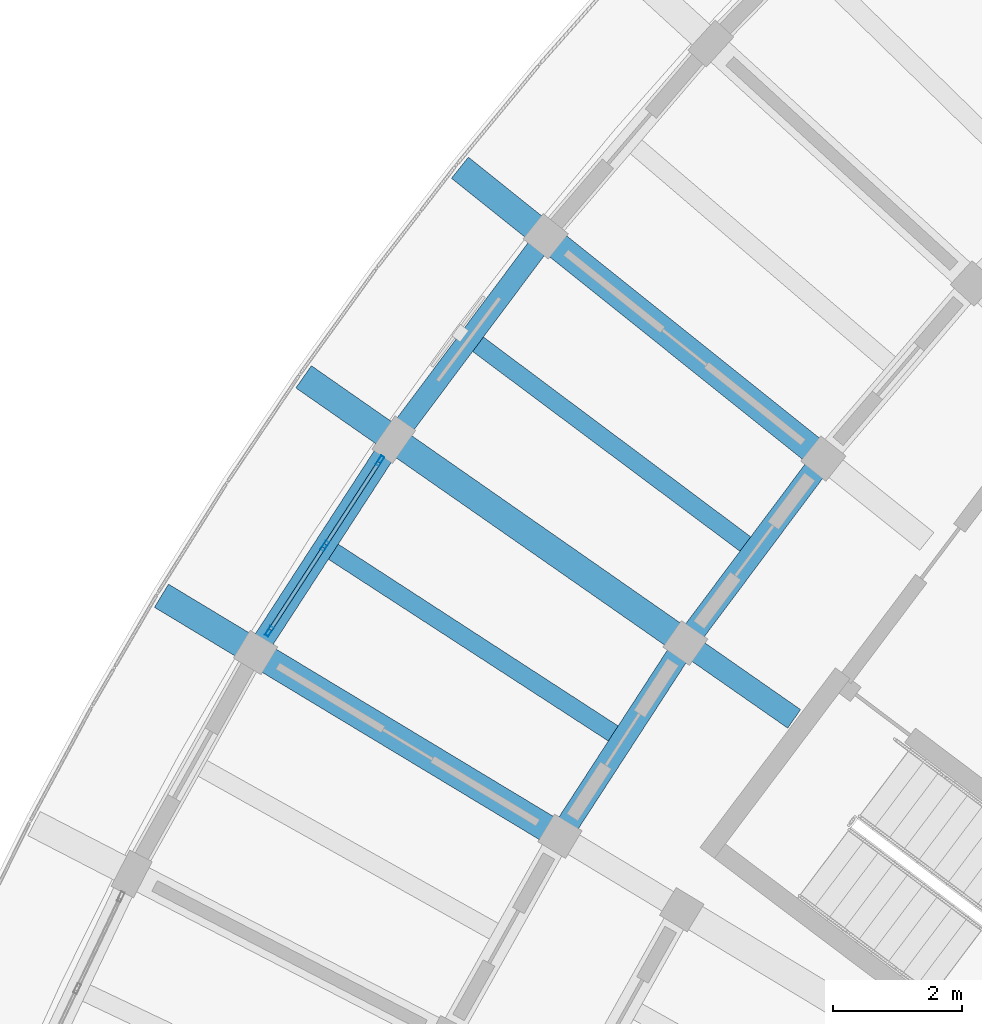
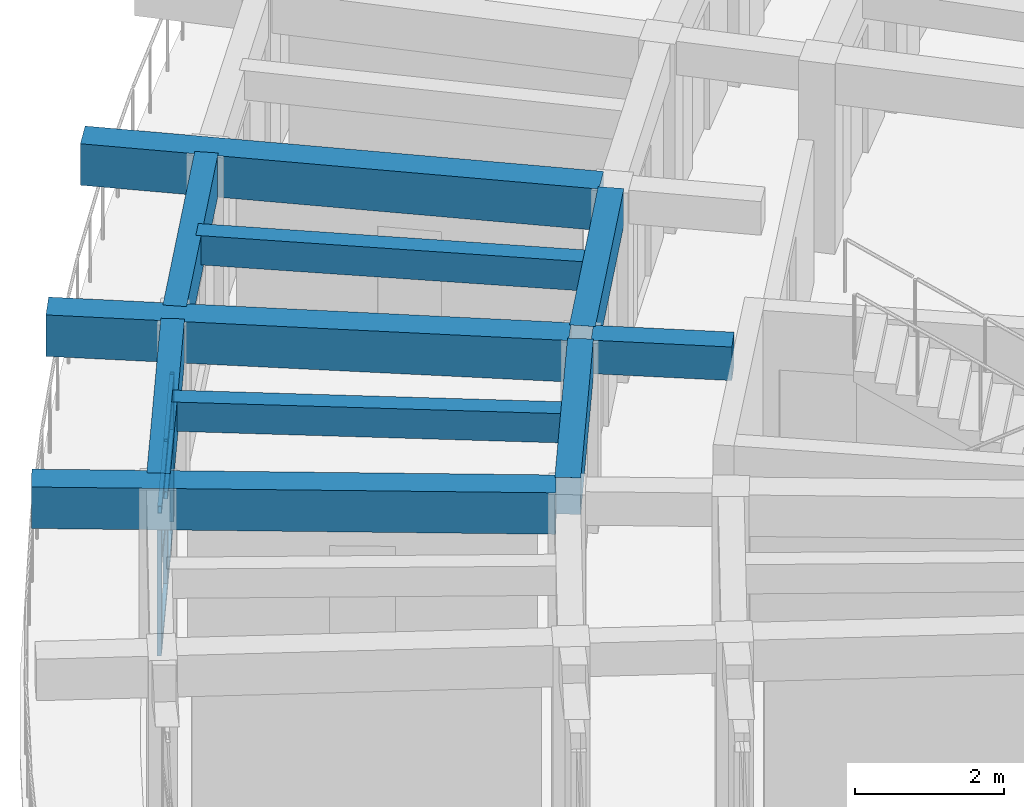
# One storey, part 13 of 62: 10 beams, 9 members, 1 element without a shape of its own.
"""IFC4 building model written with IfcOpenShell, lengths in metres."""

from ifc_helpers import new_model, si_unit, direction, frame, origin, origin_2d, place, context, subcontext, project, spatial, rectangle, hollow_rectangle, extrude, material, material_profile, profile_set, type_object, element, aggregate, save


model = new_model("IFC4")

# Units and contexts
model_context = context("Model", 3, precision=1e-05, world=origin(), true_north=direction((0.0, 1.0)))
body_context = subcontext(model_context, "Body", "Model", "MODEL_VIEW")
ifc_project = project(units=[si_unit("LENGTHUNIT", "METRE"), si_unit("AREAUNIT", "SQUARE_METRE"), si_unit("VOLUMEUNIT", "CUBIC_METRE"), si_unit("PLANEANGLEUNIT", "RADIAN"), si_unit("MASSUNIT", "GRAM", prefix="KILO")], contexts=[model_context])

# Site, building, storey
site_placement = place(None, origin())
site = spatial("IfcSite", under=ifc_project, at=site_placement, CompositionType="ELEMENT")
building_placement = place(site_placement, origin())
building = spatial("IfcBuilding", under=site, at=building_placement, Name="Tanwirah Colonnade Gardens", CompositionType="ELEMENT")
storey_placement = place(building_placement, frame((0.0, 0.0, 32.360107421875)))
storey = spatial("IfcBuildingStorey", under=building, at=storey_placement, Name="L09", CompositionType="ELEMENT", Elevation=32.360107421875)

# Beams
ifc_material_1 = material(Name="Precast concrete C40/50", Category="concrete")
ifc_material_profile_1 = material_profile(ifc_material_1, rectangle(XDim=0.35009765625, YDim=0.550048828125, at=origin_2d()), Name="PC-BM 350x550")
ifc_profile_set_1 = profile_set([ifc_material_profile_1], Name="Precast concrete C40/50")
beam_type_1 = type_object("IfcBeamType", Name="BM-PC350A", PredefinedType="BEAM", material=ifc_profile_set_1)
beam_1_placement = place(storey_placement, frame((22.346435546875, 89.943359375, 2.83984375), z_axis=(-0.820305001782, 0.571926309983, 0.0), x_axis=(-0.571926309983, -0.820305001782, 0.0)))
element("IfcBeam", 1, at=beam_1_placement, inside=storey, type_object=beam_type_1, Name="Block A L09 Corridor Tie Beam 13", PredefinedType="BEAM", context=body_context, shape_type="SweptSolid", body=[
    extrude(rectangle(XDim=0.35009765625, YDim=0.550048828125, at=origin_2d()), origin(), (0.0, 0.0, 1.0), 1.89990234375),
])
ifc_material_profile_2 = material_profile(ifc_material_1, rectangle(XDim=0.35009765625, YDim=0.60009765625, at=origin_2d()), Name="PC-BM 350x600")
ifc_profile_set_2 = profile_set([ifc_material_profile_2], Name="Precast concrete C40/50")
beam_type_2 = type_object("IfcBeamType", Name="BM-PC350B", PredefinedType="BEAM", material=ifc_profile_set_2)
for number, where, z_axis, x_axis, name in (
    (2, (22.708251953125, 93.849609375, 2.81494140625), (-0.59871829396, -0.800959677186, 0.0), (0.800959677186, -0.59871829396, 0.0), "Block A L09 Circumferential Beam 12-R2"),
    (3, (20.5830078125, 90.989990234375, 2.81494140625), (-0.544627998385, -0.838677735114, 0.0), (0.838677735114, -0.544627998385, 0.0), "Block A L09 Circumferential Beam 13-R2"),
):
    element("IfcBeam", number, at=place(storey_placement, frame(where, z_axis=z_axis, x_axis=x_axis)), inside=storey, type_object=beam_type_2, Name=name, PredefinedType="BEAM", context=body_context, shape_type="SweptSolid", body=[
        extrude(rectangle(XDim=0.35009765625, YDim=0.60009765625, at=origin_2d()), origin(), (0.0, 0.0, 1.0), 3.262939453125),
    ])
ifc_material_2 = material(Name="Precast concrete C45/55", Category="concrete")
ifc_material_profile_3 = material_profile(ifc_material_2, rectangle(XDim=0.419921875, YDim=0.679931640625, at=origin_2d()), Name="PC-BM 420x680")
ifc_profile_set_3 = profile_set([ifc_material_profile_3], Name="Precast concrete C45/55")
beam_type_3 = type_object("IfcBeamType", Name="BM-PC420", PredefinedType="BEAM", material=ifc_profile_set_3)
for number, where, z_axis, x_axis, name in (
    (4, (22.680908203125, 94.0634765625, 2.77490234375), (-0.780794476885, 0.624787951921, 0.0), (-0.624787951921, -0.780794476885, 0.0), "Block A L09 Outer Radial Precast Girder 12"),
    (5, (20.541748046875, 91.20166015625, 2.77490234375), (-0.820270158139, 0.571976282433, 0.0), (-0.571976282433, -0.820270158139, 0.0), "Block A L09 Outer Radial Precast Girder 13"),
    (6, (18.595703125, 88.205078125, 2.77490234375), (-0.856157813984, 0.516714425533, 0.0), (-0.516714425533, -0.856157813984, 0.0), "Block A L09 Outer Radial Precast Girder 14"),
):
    element("IfcBeam", number, at=place(storey_placement, frame(where, z_axis=z_axis, x_axis=x_axis)), inside=storey, type_object=beam_type_3, Name=name, PredefinedType="BEAM", context=body_context, shape_type="SweptSolid", body=[
        extrude(rectangle(XDim=0.419921875, YDim=0.679931640625, at=origin_2d()), origin(), (0.0, 0.0, 1.0), 7.050048828125),
    ])

# Curtain wall, members
ifc_material_3 = material(Name="Bronze-anodised aluminium and solar-control low-E glass", Category="aluminium")
curtain_wall_type = type_object("IfcCurtainWallType", Name="CW-LOB", PredefinedType="NOTDEFINED", material=ifc_material_3)
curtain_wall_placement = place(storey_placement, origin())
curtain_wall = element("IfcCurtainWall", 7, at=curtain_wall_placement, inside=storey, type_object=curtain_wall_type, Name="Curtain Wall CW-A-L09-OUT-13", PredefinedType="NOTDEFINED")
ifc_material_4 = material(Name="Bronze-anodised aluminium", Category="aluminium")
ifc_material_profile_4 = material_profile(ifc_material_4, hollow_rectangle(XDim=0.06005859375, YDim=0.159912109375, WallThickness=0.00390625, at=origin_2d()), Name="CW-MUL 60x160x4")
ifc_profile_set_4 = profile_set([ifc_material_profile_4], Name="Bronze-anodised aluminium")
member_type_1 = type_object("IfcMemberType", Name="CWM-60x160", PredefinedType="MULLION", material=ifc_profile_set_4)
member_1_placement = place(storey_placement, frame((15.94091796875, 93.934814453125, 0.0), z_axis=(0.0, 0.0, 1.0), x_axis=(0.838669898607, -0.544640065704, 0.0)))
member_1 = element("IfcMember", 8, at=member_1_placement, type_object=member_type_1, Name="CW-LOB mullion 1", PredefinedType="MULLION", context=body_context, shape_type="SweptSolid", body=[
    extrude(hollow_rectangle(XDim=0.06005859375, YDim=0.159912109375, WallThickness=0.00390625, at=origin_2d()), origin(), (0.0, 0.0, 1.0), 2.35498046875),
])
member_2_placement = place(storey_placement, frame((15.084228515625, 92.61572265625, 0.0), z_axis=(0.0, 0.0, 1.0), x_axis=(0.838669898607, -0.544640065704, 0.0)))
member_2 = element("IfcMember", 9, at=member_2_placement, type_object=member_type_1, Name="CW-LOB mullion 2", PredefinedType="MULLION", context=body_context, shape_type="SweptSolid", body=[
    extrude(hollow_rectangle(XDim=0.06005859375, YDim=0.159912109375, WallThickness=0.00390625, at=origin_2d()), origin(), (0.0, 0.0, 1.0), 2.35498046875),
])
member_3_placement = place(storey_placement, frame((14.227783203125, 91.296630859375, 0.0), z_axis=(0.0, 0.0, 1.0), x_axis=(0.838669898607, -0.544640065704, 0.0)))
member_3 = element("IfcMember", 10, at=member_3_placement, type_object=member_type_1, Name="CW-LOB mullion 3", PredefinedType="MULLION", context=body_context, shape_type="SweptSolid", body=[
    extrude(hollow_rectangle(XDim=0.06005859375, YDim=0.159912109375, WallThickness=0.00390625, at=origin_2d()), origin(), (0.0, 0.0, 1.0), 2.35498046875),
])
ifc_material_profile_5 = material_profile(ifc_material_4, hollow_rectangle(XDim=0.06005859375, YDim=0.1201171875, WallThickness=0.00390625, at=origin_2d()), Name="CW-TRN 60x120x4")
ifc_profile_set_5 = profile_set([ifc_material_profile_5], Name="Bronze-anodised aluminium")
member_type_2 = type_object("IfcMemberType", Name="CWT-60x120", PredefinedType="USERDEFINED", material=ifc_profile_set_5)
member_4_placement = place(storey_placement, frame((15.924560546875, 93.90966796875, 0.02978515625), z_axis=(-0.544642296975, -0.838668449595, 0.0), x_axis=(0.838668449595, -0.544642296975, 0.0)))
member_4 = element("IfcMember", 11, at=member_4_placement, type_object=member_type_2, Name="CW-LOB transom 1.1", ObjectType="TRANSOM", PredefinedType="USERDEFINED", context=body_context, shape_type="SweptSolid", body=[
    extrude(hollow_rectangle(XDim=0.06005859375, YDim=0.1201171875, WallThickness=0.00390625, at=origin_2d()), origin(), (0.0, 0.0, 1.0), 1.512939453125),
])
member_5_placement = place(storey_placement, frame((15.924560546875, 93.90966796875, 1.4599609375), z_axis=(-0.544642296975, -0.838668449595, 0.0), x_axis=(0.838668449595, -0.544642296975, 0.0)))
member_5 = element("IfcMember", 12, at=member_5_placement, type_object=member_type_2, Name="CW-LOB transom 1.2", ObjectType="TRANSOM", PredefinedType="USERDEFINED", context=body_context, shape_type="SweptSolid", body=[
    extrude(hollow_rectangle(XDim=0.06005859375, YDim=0.1201171875, WallThickness=0.00390625, at=origin_2d()), origin(), (0.0, 0.0, 1.0), 1.512939453125),
])
member_6_placement = place(storey_placement, frame((15.924560546875, 93.90966796875, 2.324951171875), z_axis=(-0.544642296975, -0.838668449595, 0.0), x_axis=(0.838668449595, -0.544642296975, 0.0)))
member_6 = element("IfcMember", 13, at=member_6_placement, type_object=member_type_2, Name="CW-LOB transom 1.3", ObjectType="TRANSOM", PredefinedType="USERDEFINED", context=body_context, shape_type="SweptSolid", body=[
    extrude(hollow_rectangle(XDim=0.06005859375, YDim=0.1201171875, WallThickness=0.00390625, at=origin_2d()), origin(), (0.0, 0.0, 1.0), 1.512939453125),
])
member_7_placement = place(storey_placement, frame((15.06787109375, 92.590576171875, 0.02978515625), z_axis=(-0.544642296975, -0.838668449595, 0.0), x_axis=(0.838668449595, -0.544642296975, 0.0)))
member_7 = element("IfcMember", 14, at=member_7_placement, type_object=member_type_2, Name="CW-LOB transom 2.1", ObjectType="TRANSOM", PredefinedType="USERDEFINED", context=body_context, shape_type="SweptSolid", body=[
    extrude(hollow_rectangle(XDim=0.06005859375, YDim=0.1201171875, WallThickness=0.00390625, at=origin_2d()), origin(), (0.0, 0.0, 1.0), 1.512939453125),
])
member_8_placement = place(storey_placement, frame((15.06787109375, 92.590576171875, 1.4599609375), z_axis=(-0.544642296975, -0.838668449595, 0.0), x_axis=(0.838668449595, -0.544642296975, 0.0)))
member_8 = element("IfcMember", 15, at=member_8_placement, type_object=member_type_2, Name="CW-LOB transom 2.2", ObjectType="TRANSOM", PredefinedType="USERDEFINED", context=body_context, shape_type="SweptSolid", body=[
    extrude(hollow_rectangle(XDim=0.06005859375, YDim=0.1201171875, WallThickness=0.00390625, at=origin_2d()), origin(), (0.0, 0.0, 1.0), 1.512939453125),
])
member_9_placement = place(storey_placement, frame((15.06787109375, 92.590576171875, 2.324951171875), z_axis=(-0.544642296975, -0.838668449595, 0.0), x_axis=(0.838668449595, -0.544642296975, 0.0)))
member_9 = element("IfcMember", 16, at=member_9_placement, type_object=member_type_2, Name="CW-LOB transom 2.3", ObjectType="TRANSOM", PredefinedType="USERDEFINED", context=body_context, shape_type="SweptSolid", body=[
    extrude(hollow_rectangle(XDim=0.06005859375, YDim=0.1201171875, WallThickness=0.00390625, at=origin_2d()), origin(), (0.0, 0.0, 1.0), 1.512939453125),
])
aggregate(curtain_wall, [member_1, member_2, member_3, member_4, member_5, member_6, member_7, member_8, member_9])

# Beams
ifc_material_profile_6 = material_profile(ifc_material_1, rectangle(XDim=0.280029296875, YDim=0.47998046875, at=origin_2d()), Name="PC-JST 280x480")
ifc_profile_set_6 = profile_set([ifc_material_profile_6], Name="Precast concrete C40/50")
beam_type_4 = type_object("IfcBeamType", Name="JST-PC280", PredefinedType="JOIST", material=ifc_profile_set_6)
beam_2_placement = place(storey_placement, frame((21.61181640625, 92.63232421875, 2.875), z_axis=(-0.800973647215, 0.598699604533, 0.0), x_axis=(-0.598699604533, -0.800973647215, 0.0)))
element("IfcBeam", 17, at=beam_2_placement, inside=storey, type_object=beam_type_4, Name="Block A L09 Precast Floor Joist 12", PredefinedType="JOIST", context=body_context, shape_type="SweptSolid", body=[
    extrude(rectangle(XDim=0.280029296875, YDim=0.47998046875, at=origin_2d()), origin(), (0.0, 0.0, 1.0), 5.260009765625),
])
beam_3_placement = place(storey_placement, frame((19.5693359375, 89.703125, 2.875), z_axis=(-0.83868742622, 0.544613074669, 0.0), x_axis=(-0.544613074669, -0.83868742622, 0.0)))
element("IfcBeam", 18, at=beam_3_placement, inside=storey, type_object=beam_type_4, Name="Block A L09 Precast Floor Joist 13", PredefinedType="JOIST", context=body_context, shape_type="SweptSolid", body=[
    extrude(rectangle(XDim=0.280029296875, YDim=0.47998046875, at=origin_2d()), origin(), (0.0, 0.0, 1.0), 5.26025390625),
])
ifc_material_profile_7 = material_profile(ifc_material_2, rectangle(XDim=0.320068359375, YDim=0.679931640625, at=origin_2d()), Name="PC-SP 320x680")
ifc_profile_set_7 = profile_set([ifc_material_profile_7], Name="Precast concrete C45/55")
beam_type_5 = type_object("IfcBeamType", Name="SP-PC320", PredefinedType="SPANDREL", material=ifc_profile_set_7)
for number, where, z_axis, x_axis, name in (
    (19, (18.413818359375, 97.285888671875, 2.77490234375), (-0.598695554058, -0.800976674786, 0.0), (0.800976674786, -0.598695554058, 0.0), "Block A L09 Circumferential Beam 12-R3"),
    (20, (16.071533203125, 94.135986328125, 2.77490234375), (-0.544621436184, -0.838681996497, 0.0), (0.838681996497, -0.544621436184, 0.0), "Block A L09 Circumferential Beam 13-R3"),
):
    element("IfcBeam", number, at=place(storey_placement, frame(where, z_axis=z_axis, x_axis=x_axis)), inside=storey, type_object=beam_type_5, Name=name, PredefinedType="SPANDREL", context=body_context, shape_type="SweptSolid", body=[
        extrude(rectangle(XDim=0.320068359375, YDim=0.679931640625, at=origin_2d()), origin(), (0.0, 0.0, 1.0), 3.625732421875),
    ])

save(model, "model.ifc")
